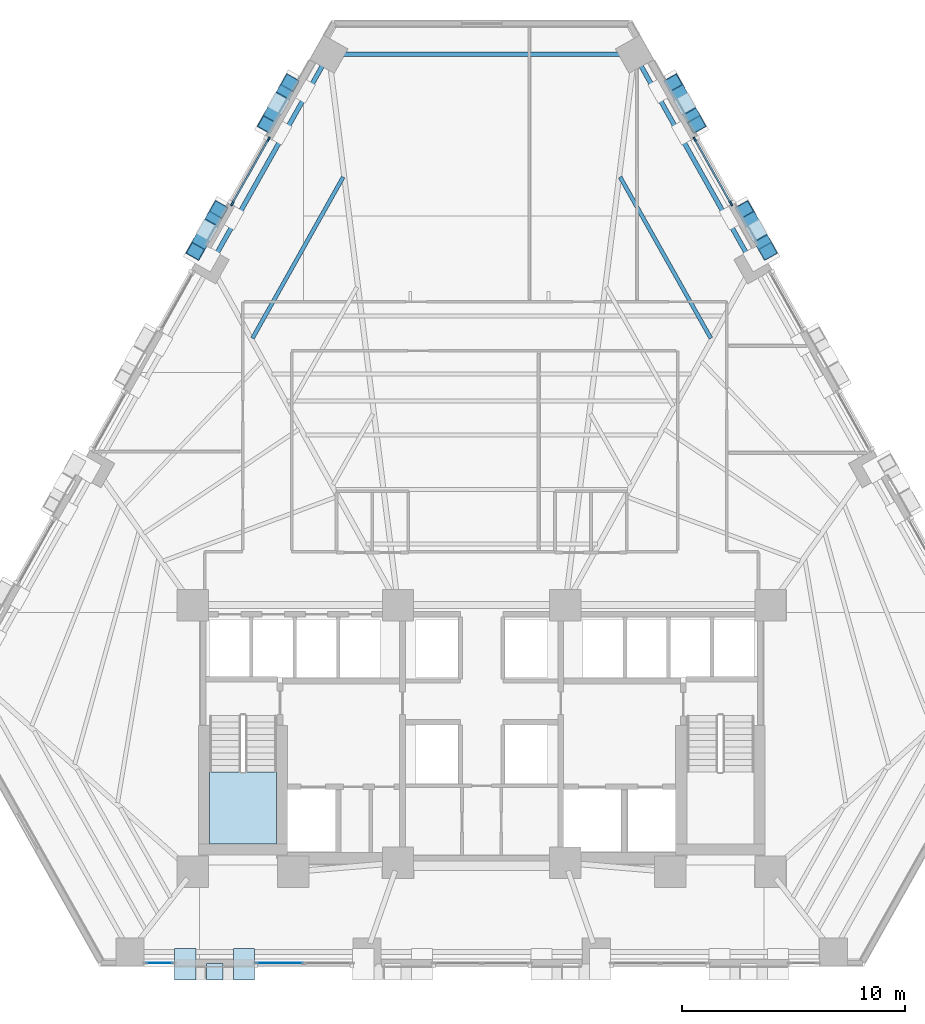
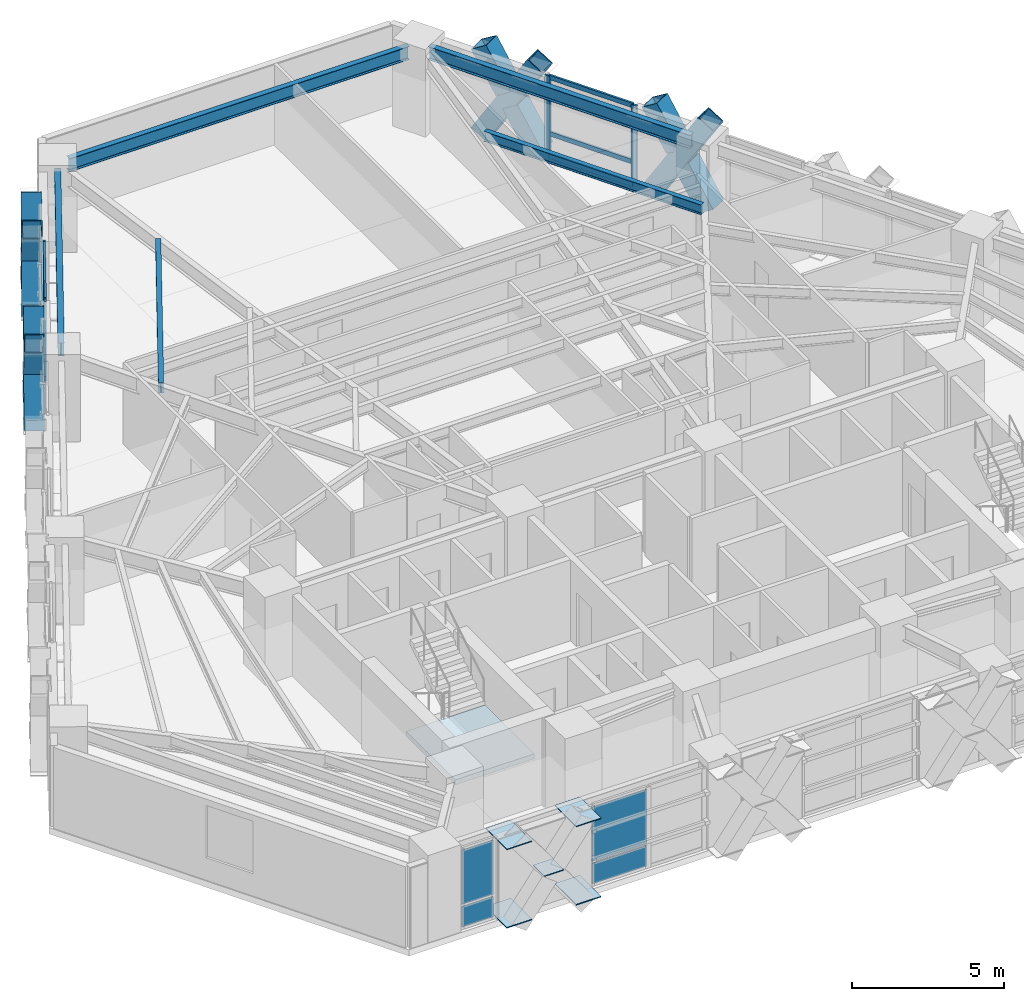
# One storey, part 5 of 13: 22 members, 9 plates, 5 beams, 1 slab, 5 elements without a shape of their own.
"""IFC4 building model written with IfcOpenShell, lengths in metres."""

from ifc_helpers import new_model, si_unit, direction, frame, origin, origin_2d, place, context, subcontext, project, spatial, polyline, rectangle, hollow_rectangle, i_section, outline, extrude, material, layer, layer_set, material_profile, profile_set, type_object, element, aggregate, save


model = new_model("IFC4")

# Units and contexts
model_context = context("Model", 3, precision=1e-05, world=origin(), true_north=direction((0.0, 1.0)))
body_context = subcontext(model_context, "Body", "Model", "MODEL_VIEW")
ifc_project = project(units=[si_unit("LENGTHUNIT", "METRE"), si_unit("AREAUNIT", "SQUARE_METRE"), si_unit("VOLUMEUNIT", "CUBIC_METRE"), si_unit("PLANEANGLEUNIT", "RADIAN"), si_unit("MASSUNIT", "GRAM", prefix="KILO")], contexts=[model_context])

# Site, building, storey
site_placement = place(None, origin())
site = spatial("IfcSite", under=ifc_project, at=site_placement, CompositionType="ELEMENT")
building_placement = place(site_placement, origin())
building = spatial("IfcBuilding", under=site, at=building_placement, Name="Quenlor Broadcast Tower", CompositionType="ELEMENT")
storey_placement = place(building_placement, frame((0.0, 0.0, 52.10009765625)))
storey = spatial("IfcBuildingStorey", under=building, at=storey_placement, Name="L13", CompositionType="ELEMENT", Elevation=52.10009765625)

# Curtain wall, members
ifc_material_1 = material(Name="Architectural Terracotta and Low-E Glazing", Category="masonry")
curtain_wall_type = type_object("IfcCurtainWallType", Name="Unitised Terracotta Curtain Wall System Z1", PredefinedType="NOTDEFINED", material=ifc_material_1)
curtain_wall_1_placement = place(storey_placement, origin())
curtain_wall_1 = element("IfcCurtainWall", 1, at=curtain_wall_1_placement, inside=storey, type_object=curtain_wall_type, Name="L13 Curtain Wall CW1 (L13-NEA-G1)", PredefinedType="NOTDEFINED")
ifc_material_2 = material(Name="Aluminium 6063-T6", Category="aluminium")
ifc_material_profile_1 = material_profile(ifc_material_2, rectangle(XDim=0.080078125, YDim=0.219970703125, at=origin_2d()))
ifc_profile_set_1 = profile_set([ifc_material_profile_1], Name="Aluminium 6063-T6 MULL80x220")
member_type_1 = type_object("IfcMemberType", Name="CW1 Aluminium Mullion MULL_CW1", PredefinedType="MULLION", material=ifc_profile_set_1)
member_1_placement = place(storey_placement, frame((9.55615234375, 16.084716796875, 0.0), z_axis=(0.0, 0.0, 1.0), x_axis=(0.871585015751, 0.49024438836, 0.0)))
member_1 = element("IfcMember", 2, at=member_1_placement, type_object=member_type_1, Name="CW1 mullion 1", PredefinedType="MULLION", context=body_context, shape_type="SweptSolid", body=[
    extrude(rectangle(XDim=0.080078125, YDim=0.219970703125, at=origin_2d()), origin(), (0.0, 0.0, 1.0), 3.25),
])
member_2_placement = place(storey_placement, frame((11.174560546875, 13.207763671875, 0.0), z_axis=(0.0, 0.0, 1.0), x_axis=(0.871585015751, 0.49024438836, 0.0)))
member_2 = element("IfcMember", 3, at=member_2_placement, type_object=member_type_1, Name="CW1 mullion 2", PredefinedType="MULLION", context=body_context, shape_type="SweptSolid", body=[
    extrude(rectangle(XDim=0.080078125, YDim=0.219970703125, at=origin_2d()), origin(), (0.0, 0.0, 1.0), 3.25),
])

curtain_wall_2_placement = place(storey_placement, origin())
curtain_wall_2 = element("IfcCurtainWall", 4, at=curtain_wall_2_placement, inside=storey, type_object=curtain_wall_type, Name="L13 Curtain Wall CW1 (L13-NWC-G1)", PredefinedType="NOTDEFINED")
member_3_placement = place(storey_placement, frame((-11.174560546875, 13.207763671875, 0.0), z_axis=(0.0, 0.0, 1.0), x_axis=(-0.871585015751, 0.49024438836, 0.0)))
member_3 = element("IfcMember", 5, at=member_3_placement, type_object=member_type_1, Name="CW1 mullion 1", PredefinedType="MULLION", context=body_context, shape_type="SweptSolid", body=[
    extrude(rectangle(XDim=0.080078125, YDim=0.219970703125, at=origin_2d()), origin(), (0.0, 0.0, 1.0), 3.25),
])
member_4_placement = place(storey_placement, frame((-9.55615234375, 16.084716796875, 0.0), z_axis=(0.0, 0.0, 1.0), x_axis=(-0.871585015751, 0.49024438836, 0.0)))
member_4 = element("IfcMember", 6, at=member_4_placement, type_object=member_type_1, Name="CW1 mullion 2", PredefinedType="MULLION", context=body_context, shape_type="SweptSolid", body=[
    extrude(rectangle(XDim=0.080078125, YDim=0.219970703125, at=origin_2d()), origin(), (0.0, 0.0, 1.0), 3.25),
])

# Member
ifc_material_3 = material(Name="Aluminium 6063-T6", Category="aluminium")
ifc_material_profile_2 = material_profile(ifc_material_3, rectangle(XDim=0.080078125, YDim=0.179931640625, at=origin_2d()))
ifc_profile_set_2 = profile_set([ifc_material_profile_2], Name="Aluminium 6063-T6 TRAN80x180")
member_type_2 = type_object("IfcMemberType", Name="CW1 Aluminium Transom TRAN_CW1", PredefinedType="USERDEFINED", material=ifc_profile_set_2)
member_5_placement = place(storey_placement, frame((9.575927734375, 16.050048828125, 0.039794921875), z_axis=(0.490192861476, -0.871613996307, 0.0), x_axis=(0.871613996307, 0.490192861476, 0.0)))
member_5 = element("IfcMember", 7, at=member_5_placement, type_object=member_type_2, Name="CW1 transom 1.1", ObjectType="TRANSOM", PredefinedType="USERDEFINED", context=body_context, shape_type="SweptSolid", body=[
    extrude(rectangle(XDim=0.080078125, YDim=0.179931640625, at=origin_2d()), origin(), (0.0, 0.0, 1.0), 3.220947265625),
])

member_6_placement = place(storey_placement, frame((9.575927734375, 16.050048828125, 0.949951171875), z_axis=(0.490192861476, -0.871613996307, 0.0), x_axis=(0.871613996307, 0.490192861476, 0.0)))
member_6 = element("IfcMember", 8, at=member_6_placement, type_object=member_type_2, Name="CW1 transom 1.2", ObjectType="TRANSOM", PredefinedType="USERDEFINED", context=body_context, shape_type="SweptSolid", body=[
    extrude(rectangle(XDim=0.080078125, YDim=0.179931640625, at=origin_2d()), origin(), (0.0, 0.0, 1.0), 3.220947265625),
])

member_7_placement = place(storey_placement, frame((9.575927734375, 16.050048828125, 3.2099609375), z_axis=(0.490192861476, -0.871613996307, 0.0), x_axis=(0.871613996307, 0.490192861476, 0.0)))
member_7 = element("IfcMember", 9, at=member_7_placement, type_object=member_type_2, Name="CW1 transom 1.3", ObjectType="TRANSOM", PredefinedType="USERDEFINED", context=body_context, shape_type="SweptSolid", body=[
    extrude(rectangle(XDim=0.080078125, YDim=0.179931640625, at=origin_2d()), origin(), (0.0, 0.0, 1.0), 3.220947265625),
])

aggregate(curtain_wall_1, [member_1, member_2, member_5, member_6, member_7])

member_8_placement = place(storey_placement, frame((-11.15478515625, 13.24267578125, 0.039794921875), z_axis=(0.490192861476, 0.871613996307, 0.0), x_axis=(-0.871613996307, 0.490192861476, 0.0)))
member_8 = element("IfcMember", 10, at=member_8_placement, type_object=member_type_2, Name="CW1 transom 1.1", ObjectType="TRANSOM", PredefinedType="USERDEFINED", context=body_context, shape_type="SweptSolid", body=[
    extrude(rectangle(XDim=0.080078125, YDim=0.179931640625, at=origin_2d()), origin(), (0.0, 0.0, 1.0), 3.220947265625),
])

member_9_placement = place(storey_placement, frame((-11.15478515625, 13.24267578125, 0.949951171875), z_axis=(0.490192861476, 0.871613996307, 0.0), x_axis=(-0.871613996307, 0.490192861476, 0.0)))
member_9 = element("IfcMember", 11, at=member_9_placement, type_object=member_type_2, Name="CW1 transom 1.2", ObjectType="TRANSOM", PredefinedType="USERDEFINED", context=body_context, shape_type="SweptSolid", body=[
    extrude(rectangle(XDim=0.080078125, YDim=0.179931640625, at=origin_2d()), origin(), (0.0, 0.0, 1.0), 3.220947265625),
])

member_10_placement = place(storey_placement, frame((-11.15478515625, 13.24267578125, 3.2099609375), z_axis=(0.490192861476, 0.871613996307, 0.0), x_axis=(-0.871613996307, 0.490192861476, 0.0)))
member_10 = element("IfcMember", 12, at=member_10_placement, type_object=member_type_2, Name="CW1 transom 1.3", ObjectType="TRANSOM", PredefinedType="USERDEFINED", context=body_context, shape_type="SweptSolid", body=[
    extrude(rectangle(XDim=0.080078125, YDim=0.179931640625, at=origin_2d()), origin(), (0.0, 0.0, 1.0), 3.220947265625),
])

aggregate(curtain_wall_2, [member_3, member_4, member_8, member_9, member_10])

# Members
ifc_material_4 = material(Name="Steel S355", Category="steel")
ifc_material_profile_3 = material_profile(ifc_material_4, hollow_rectangle(XDim=0.679931640625, YDim=0.679931640625, WallThickness=0.034912109375, at=origin_2d()))
ifc_profile_set_3 = profile_set([ifc_material_profile_3], Name="Steel S355 RHS680x680x35")
member_type_3 = type_object("IfcMemberType", Name="Perimeter Diagonal Lattice Brace Z1 Steel S355 RHS680x35", PredefinedType="BRACE", material=ifc_profile_set_3)
member_11_placement = place(storey_placement, frame((8.584716796875, 18.617431640625, -0.1201171875), z_axis=(0.25642393936, -0.455831751234, 0.852328679495), x_axis=(0.871560357306, 0.490288224998, 0.0)))
element("IfcMember", 13, at=member_11_placement, inside=storey, type_object=member_type_3, Name="L13 Perimeter Diamond Lattice NE-C1XA", PredefinedType="BRACE", context=body_context, shape_type="SweptSolid", body=[
    extrude(hollow_rectangle(XDim=0.679931640625, YDim=0.679931640625, WallThickness=0.034912109375, at=origin_2d()), origin(), (0.0, 0.0, 1.0), 4.1064453125),
])
for number, where, z_axis, x_axis, name in (
    (14, (9.6376953125, 16.74560546875, -0.1201171875), (-0.256435894674, 0.455870991217, 0.852304095549), (-0.871568623966, -0.49027352949, 0.0), "L13 Perimeter Diamond Lattice NE-C1XB1"),
    (15, (9.047119140625, 17.79541015625, 1.843017578125), (-0.256435894674, 0.455870991217, 0.852304095549), (-0.871568623966, -0.49027352949, 0.0), "L13 Perimeter Diamond Lattice NE-C1XB2"),
):
    element("IfcMember", number, at=place(storey_placement, frame(where, z_axis=z_axis, x_axis=x_axis)), inside=storey, type_object=member_type_3, Name=name, PredefinedType="BRACE", context=body_context, shape_type="SweptSolid", body=[
        extrude(hollow_rectangle(XDim=0.679931640625, YDim=0.679931640625, WallThickness=0.034912109375, at=origin_2d()), origin(), (0.0, 0.0, 1.0), 1.80322265625),
    ])
member_12_placement = place(storey_placement, frame((11.781494140625, 12.93408203125, -0.1201171875), z_axis=(0.256430888508, -0.455784649039, 0.8523517778), x_axis=(0.871533027316, 0.490336804959, 0.0)))
element("IfcMember", 16, at=member_12_placement, inside=storey, type_object=member_type_3, Name="L13 Perimeter Diamond Lattice NE-C2XA", PredefinedType="BRACE", context=body_context, shape_type="SweptSolid", body=[
    extrude(hollow_rectangle(XDim=0.679931640625, YDim=0.679931640625, WallThickness=0.034912109375, at=origin_2d()), origin(), (0.0, 0.0, 1.0), 4.106201171875),
])
member_13_placement = place(storey_placement, frame((12.83447265625, 11.0625, -0.1201171875), z_axis=(-0.256435894674, 0.455870991217, 0.852304095549), x_axis=(-0.871568623966, -0.49027352949, 0.0)))
element("IfcMember", 17, at=member_13_placement, inside=storey, type_object=member_type_3, Name="L13 Perimeter Diamond Lattice NE-C2XB1", PredefinedType="BRACE", context=body_context, shape_type="SweptSolid", body=[
    extrude(hollow_rectangle(XDim=0.679931640625, YDim=0.679931640625, WallThickness=0.034912109375, at=origin_2d()), origin(), (0.0, 0.0, 1.0), 1.80322265625),
])
member_14_placement = place(storey_placement, frame((12.243896484375, 12.1123046875, 1.843017578125), z_axis=(-0.256451721554, 0.455763724789, 0.852356698618), x_axis=(-0.871506382136, -0.490384161547, 0.0)))
element("IfcMember", 18, at=member_14_placement, inside=storey, type_object=member_type_3, Name="L13 Perimeter Diamond Lattice NE-C2XB2", PredefinedType="BRACE", context=body_context, shape_type="SweptSolid", body=[
    extrude(hollow_rectangle(XDim=0.679931640625, YDim=0.679931640625, WallThickness=0.034912109375, at=origin_2d()), origin(), (0.0, 0.0, 1.0), 1.802978515625),
])
member_15_placement = place(storey_placement, frame((-12.83447265625, 11.0625, -0.1201171875), z_axis=(0.256430888508, 0.455784649039, 0.8523517778), x_axis=(-0.871533027316, 0.490336804959, 0.0)))
element("IfcMember", 19, at=member_15_placement, inside=storey, type_object=member_type_3, Name="L13 Perimeter Diamond Lattice NW-C4XA", PredefinedType="BRACE", context=body_context, shape_type="SweptSolid", body=[
    extrude(hollow_rectangle(XDim=0.679931640625, YDim=0.679931640625, WallThickness=0.034912109375, at=origin_2d()), origin(), (0.0, 0.0, 1.0), 4.106201171875),
])
member_16_placement = place(storey_placement, frame((-11.781494140625, 12.93408203125, -0.1201171875), z_axis=(-0.256451721554, -0.455763724789, 0.852356698618), x_axis=(0.871506382136, -0.490384161547, 0.0)))
element("IfcMember", 20, at=member_16_placement, inside=storey, type_object=member_type_3, Name="L13 Perimeter Diamond Lattice NW-C4XB1", PredefinedType="BRACE", context=body_context, shape_type="SweptSolid", body=[
    extrude(hollow_rectangle(XDim=0.679931640625, YDim=0.679931640625, WallThickness=0.034912109375, at=origin_2d()), origin(), (0.0, 0.0, 1.0), 1.802978515625),
])
member_17_placement = place(storey_placement, frame((-12.3720703125, 11.884521484375, 1.843017578125), z_axis=(-0.256435894674, -0.455870991217, 0.852304095549), x_axis=(0.871568623966, -0.49027352949, 0.0)))
element("IfcMember", 21, at=member_17_placement, inside=storey, type_object=member_type_3, Name="L13 Perimeter Diamond Lattice NW-C4XB2", PredefinedType="BRACE", context=body_context, shape_type="SweptSolid", body=[
    extrude(hollow_rectangle(XDim=0.679931640625, YDim=0.679931640625, WallThickness=0.034912109375, at=origin_2d()), origin(), (0.0, 0.0, 1.0), 1.80322265625),
])
member_18_placement = place(storey_placement, frame((-9.6376953125, 16.74560546875, -0.1201171875), z_axis=(0.25642393936, 0.455831751234, 0.852328679495), x_axis=(-0.871560357306, 0.490288224998, 0.0)))
element("IfcMember", 22, at=member_18_placement, inside=storey, type_object=member_type_3, Name="L13 Perimeter Diamond Lattice NW-C5XA", PredefinedType="BRACE", context=body_context, shape_type="SweptSolid", body=[
    extrude(hollow_rectangle(XDim=0.679931640625, YDim=0.679931640625, WallThickness=0.034912109375, at=origin_2d()), origin(), (0.0, 0.0, 1.0), 4.1064453125),
])
for number, where, z_axis, x_axis, name in (
    (23, (-8.584716796875, 18.617431640625, -0.1201171875), (-0.256435894674, -0.455870991217, 0.852304095549), (0.871568623966, -0.49027352949, 0.0), "L13 Perimeter Diamond Lattice NW-C5XB1"),
    (24, (-9.17529296875, 17.567626953125, 1.843017578125), (-0.256435894674, -0.455870991217, 0.852304095549), (0.871568623966, -0.49027352949, 0.0), "L13 Perimeter Diamond Lattice NW-C5XB2"),
):
    element("IfcMember", number, at=place(storey_placement, frame(where, z_axis=z_axis, x_axis=x_axis)), inside=storey, type_object=member_type_3, Name=name, PredefinedType="BRACE", context=body_context, shape_type="SweptSolid", body=[
        extrude(hollow_rectangle(XDim=0.679931640625, YDim=0.679931640625, WallThickness=0.034912109375, at=origin_2d()), origin(), (0.0, 0.0, 1.0), 1.80322265625),
    ])

# Beams
ifc_material_5 = material(Name="Steel S355", Category="steel")
ifc_material_profile_4 = material_profile(ifc_material_5, i_section(OverallWidth=0.208984375, OverallDepth=0.532958984375, WebThickness=0.01025390625, FlangeThickness=0.015625, FilletRadius=0.013916015625, at=origin_2d()))
ifc_profile_set_4 = profile_set([ifc_material_profile_4], Name="Steel S355 530UB92.4")
beam_type_1 = type_object("IfcBeamType", Name="Perimeter Spandrel Beam Z1 Steel S355 530UB92.4", PredefinedType="SPANDREL", material=ifc_profile_set_4)
beam_1_placement = place(storey_placement, frame((11.962158203125, 10.80810546875, 2.9833984375), z_axis=(-0.490257767622, 0.871577490121, 0.0), x_axis=(-0.871577490121, -0.490257767622, 0.0)))
element("IfcBeam", 25, at=beam_1_placement, inside=storey, type_object=beam_type_1, Name="L13 Spandrel Beam NE3-NE4", PredefinedType="SPANDREL", context=body_context, shape_type="SweptSolid", body=[
    extrude(i_section(OverallWidth=0.208984375, OverallDepth=0.532958984375, WebThickness=0.01025390625, FlangeThickness=0.015625, FilletRadius=0.013916015625, at=origin_2d()), origin(), (0.0, 0.0, 1.0), 10.015380859375),
])
beam_2_placement = place(storey_placement, frame((6.44091796875, 19.894775390625, 2.9833984375), z_axis=(-1.0, 0.0, 0.0), x_axis=(0.0, -1.0, 0.0)))
element("IfcBeam", 26, at=beam_2_placement, inside=storey, type_object=beam_type_1, Name="L13 Spandrel Beam NE4-NW1", PredefinedType="SPANDREL", context=body_context, shape_type="SweptSolid", body=[
    extrude(i_section(OverallWidth=0.208984375, OverallDepth=0.532958984375, WebThickness=0.01025390625, FlangeThickness=0.015625, FilletRadius=0.013916015625, at=origin_2d()), origin(), (0.0, 0.0, 1.0), 12.8818359375),
])
beam_3_placement = place(storey_placement, frame((-7.052001953125, 19.537353515625, 2.9833984375), z_axis=(-0.490257767622, -0.871577490121, 0.0), x_axis=(0.871577490121, -0.490257767622, 0.0)))
element("IfcBeam", 27, at=beam_3_placement, inside=storey, type_object=beam_type_1, Name="L13 Spandrel Beam NW1-NW2", PredefinedType="SPANDREL", context=body_context, shape_type="SweptSolid", body=[
    extrude(i_section(OverallWidth=0.208984375, OverallDepth=0.532958984375, WebThickness=0.01025390625, FlangeThickness=0.015625, FilletRadius=0.013916015625, at=origin_2d()), origin(), (0.0, 0.0, 1.0), 10.015380859375),
])
ifc_material_6 = material(Name="Steel S355", Category="steel")
ifc_material_profile_5 = material_profile(ifc_material_6, i_section(OverallWidth=0.177978515625, OverallDepth=0.406494140625, WebThickness=0.0078125, FlangeThickness=0.0126953125, FilletRadius=0.011474609375, at=origin_2d()))
ifc_profile_set_5 = profile_set([ifc_material_profile_5], Name="Steel S355 410UB59.7")
beam_type_2 = type_object("IfcBeamType", Name="Tower Composite Joist Z1 Steel S355 410UB59.7", PredefinedType="JOIST", material=ifc_profile_set_5)
for number, where, z_axis, x_axis, name in (
    (28, (-6.2080078125, 14.39208984375, 3.046630859375), (-0.490248658014, -0.871582614166, 0.0), (0.871582614166, -0.490248658014, 0.0), "L13 Secondary Composite Joist 27"),
    (29, (6.2080078125, 14.39208984375, 3.046630859375), (0.490248658014, -0.871582614166, 0.0), (0.871582614166, 0.490248658014, 0.0), "L13 Secondary Composite Joist 30"),
):
    element("IfcBeam", number, at=place(storey_placement, frame(where, z_axis=z_axis, x_axis=x_axis)), inside=storey, type_object=beam_type_2, Name=name, PredefinedType="JOIST", context=body_context, shape_type="SweptSolid", body=[
        extrude(i_section(OverallWidth=0.177978515625, OverallDepth=0.406494140625, WebThickness=0.0078125, FlangeThickness=0.0126953125, FilletRadius=0.011474609375, at=origin_2d()), origin(), (0.0, 0.0, 1.0), 8.29150390625),
    ])

# Curtain wall, plates
curtain_wall_3_placement = place(storey_placement, origin())
curtain_wall_3 = element("IfcCurtainWall", 30, at=curtain_wall_3_placement, inside=storey, type_object=curtain_wall_type, Name="L13 Curtain Wall CW1 (L13-SC-G1)", PredefinedType="NOTDEFINED")
ifc_material_7 = material(Name="Double Glazed Low-E Solar Glass", Category="glass")
ifc_layer_1 = layer(ifc_material_7, 0.031982421875)
ifc_layer_set_1 = layer_set([ifc_layer_1], Name="CW1 Double Glazed Vision Panel 32")
plate_type_1 = type_object("IfcPlateType", Name="CW1 Double Glazed Vision Panel 32", PredefinedType="CURTAIN_PANEL", material=ifc_layer_set_1)
plate_1_placement = place(storey_placement, frame((-9.058837890625, -20.840087890625, 0.079833984375), z_axis=(0.0, 0.0, 1.0), x_axis=(-1.0, 0.0, 0.0)))
plate_1 = element("IfcPlate", 31, at=plate_1_placement, type_object=plate_type_1, Name="CW1 panel 2.1", PredefinedType="CURTAIN_PANEL", context=body_context, shape_type="SweptSolid", body=[
    extrude(rectangle(XDim=2.072021484375, YDim=0.031982421875, at=origin_2d()), origin(), (0.0, 0.0, 1.0), 0.830078125),
])
plate_2_placement = place(storey_placement, frame((-9.058837890625, -20.840087890625, 0.98974609375), z_axis=(0.0, 0.0, 1.0), x_axis=(-1.0, 0.0, 0.0)))
plate_2 = element("IfcPlate", 32, at=plate_2_placement, type_object=plate_type_1, Name="CW1 panel 2.2", PredefinedType="CURTAIN_PANEL", context=body_context, shape_type="SweptSolid", body=[
    extrude(rectangle(XDim=2.072021484375, YDim=0.031982421875, at=origin_2d()), origin(), (0.0, 0.0, 1.0), 2.179931640625),
])
aggregate(curtain_wall_3, [plate_1, plate_2])

curtain_wall_4_placement = place(storey_placement, origin())
curtain_wall_4 = element("IfcCurtainWall", 33, at=curtain_wall_4_placement, inside=storey, type_object=curtain_wall_type, Name="L13 Curtain Wall CW1 (L13-SC-G2)", PredefinedType="NOTDEFINED")
plate_3_placement = place(storey_placement, frame((-14.44091796875, -20.840087890625, 0.079833984375), z_axis=(0.0, 0.0, 1.0), x_axis=(-1.0, 0.0, 0.0)))
plate_3 = element("IfcPlate", 34, at=plate_3_placement, type_object=plate_type_1, Name="CW1 panel 1.1", PredefinedType="CURTAIN_PANEL", context=body_context, shape_type="SweptSolid", body=[
    extrude(rectangle(XDim=1.188232421875, YDim=0.031982421875, at=origin_2d()), origin(), (0.0, 0.0, 1.0), 0.830078125),
])
plate_4_placement = place(storey_placement, frame((-14.44091796875, -20.840087890625, 0.98974609375), z_axis=(0.0, 0.0, 1.0), x_axis=(-1.0, 0.0, 0.0)))
plate_4 = element("IfcPlate", 35, at=plate_4_placement, type_object=plate_type_1, Name="CW1 panel 1.2", PredefinedType="CURTAIN_PANEL", context=body_context, shape_type="SweptSolid", body=[
    extrude(rectangle(XDim=1.188232421875, YDim=0.031982421875, at=origin_2d()), origin(), (0.0, 0.0, 1.0), 2.179931640625),
])
aggregate(curtain_wall_4, [plate_3, plate_4])

# Plate
ifc_material_8 = material(Name="Steel S355", Category="steel")
ifc_layer_2 = layer(ifc_material_8, 0.028076171875)
ifc_layer_set_2 = layer_set([ifc_layer_2], Name="Perimeter Lattice Node Steel S355 Cap Plate 740x740x28")
plate_type_2 = type_object("IfcPlateType", Name="Perimeter Lattice Node Steel S355 Cap Plate 740x740x28", PredefinedType="USERDEFINED", material=ifc_layer_set_2)
plate_5_placement = place(storey_placement, frame((-11.970703125, -21.235107421875, 1.61572265625), z_axis=(0.0, 0.0, 1.0), x_axis=(-1.0, 0.0, 0.0)))
element("IfcPlate", 36, at=plate_5_placement, inside=storey, type_object=plate_type_2, Name="L13 Diamond Lattice Crossing Node S-C4", ObjectType="CAP PLATE", PredefinedType="USERDEFINED", context=body_context, shape_type="SweptSolid", body=[
    extrude(rectangle(XDim=0.739990234375, YDim=0.739990234375, at=origin_2d()), origin(), (0.0, 0.0, 1.0), 0.028076171875),
])

# Stair, slab
ifc_material_9 = material(Name="Precast concrete C40/50", Category="concrete")
stair_type = type_object("IfcStairType", Name="Precast Concrete C40/50 Dogleg Stair H350", PredefinedType="HALF_TURN_STAIR", material=ifc_material_9)
stair_placement = place(storey_placement, origin())
stair = element("IfcStair", 37, at=stair_placement, inside=storey, type_object=stair_type, Name="L13 West Core Fire-Isolated Exit Stair ST-1", PredefinedType="HALF_TURN_STAIR")
ifc_material_10 = material(Name="Precast concrete C40/50", Category="concrete")
ifc_layer_3 = layer(ifc_material_10, 0.199951171875)
ifc_layer_set_3 = layer_set([ifc_layer_3], Name="Precast Concrete C40/50 Stair Landing Slab 200")
slab_type = type_object("IfcSlabType", Name="Precast Concrete C40/50 Stair Landing Slab 200", PredefinedType="LANDING", material=ifc_layer_set_3)
slab_placement = place(storey_placement, frame((0.0, 0.0, 1.5498046875)))
slab = element("IfcSlab", 38, at=slab_placement, type_object=slab_type, Name="ST-1 landing 1", PredefinedType="LANDING", context=body_context, shape_type="SweptSolid", body=[
    extrude(outline(polyline([(-12.199951171875, -12.27001953125), (-12.199951171875, -15.5), (-9.199951171875, -15.5), (-9.199951171875, -12.27001953125), (-12.199951171875, -12.27001953125)])), origin(), (0.0, 0.0, 1.0), 0.2001953125),
])
aggregate(stair, [slab])

# Plates
ifc_material_11 = material(Name="Steel S355", Category="steel")
ifc_layer_4 = layer(ifc_material_11, 0.035888671875)
ifc_layer_set_4 = layer_set([ifc_layer_4], Name="Transfer Truss Steel S355 Gusset Node Plate 1400x950x36")
plate_type_3 = type_object("IfcPlateType", Name="Transfer Truss Steel S355 Gusset Node Plate 1400x950x36", PredefinedType="SHEET", material=ifc_layer_set_4)
for number, where, z_axis, x_axis, name in (
    (39, (-10.656494140625, -20.89990234375, 0.0419921875), (0.0, 0.0, 1.0), (0.0, -1.0, 0.0), "L13 Lattice Tie Gusset Node S-B10"),
    (40, (-13.284912109375, -20.89990234375, 3.18212890625), (0.0, 0.0, 1.0), (0.0, -1.0, 0.0), "L13 Lattice Tie Gusset Node S-T11"),
    (41, (-13.284912109375, -20.89990234375, 0.0419921875), (0.0, 0.0, 1.0), (0.0, -1.0, 0.0), "L13 Lattice Tie Gusset Node S-B11"),
    (42, (-10.656494140625, -20.89990234375, 3.18212890625), (0.0, 0.0, 1.0), (0.0, -1.0, 0.0), "L13 Lattice Tie Gusset Node S-T10"),
):
    element("IfcPlate", number, at=place(storey_placement, frame(where, z_axis=z_axis, x_axis=x_axis)), inside=storey, type_object=plate_type_3, Name=name, PredefinedType="SHEET", context=body_context, shape_type="SweptSolid", body=[
        extrude(rectangle(XDim=1.39990234375, YDim=0.949951171875, at=origin_2d()), origin(), (0.0, 0.0, 1.0), 0.035888671875),
    ])

save(model, "model.ifc")
